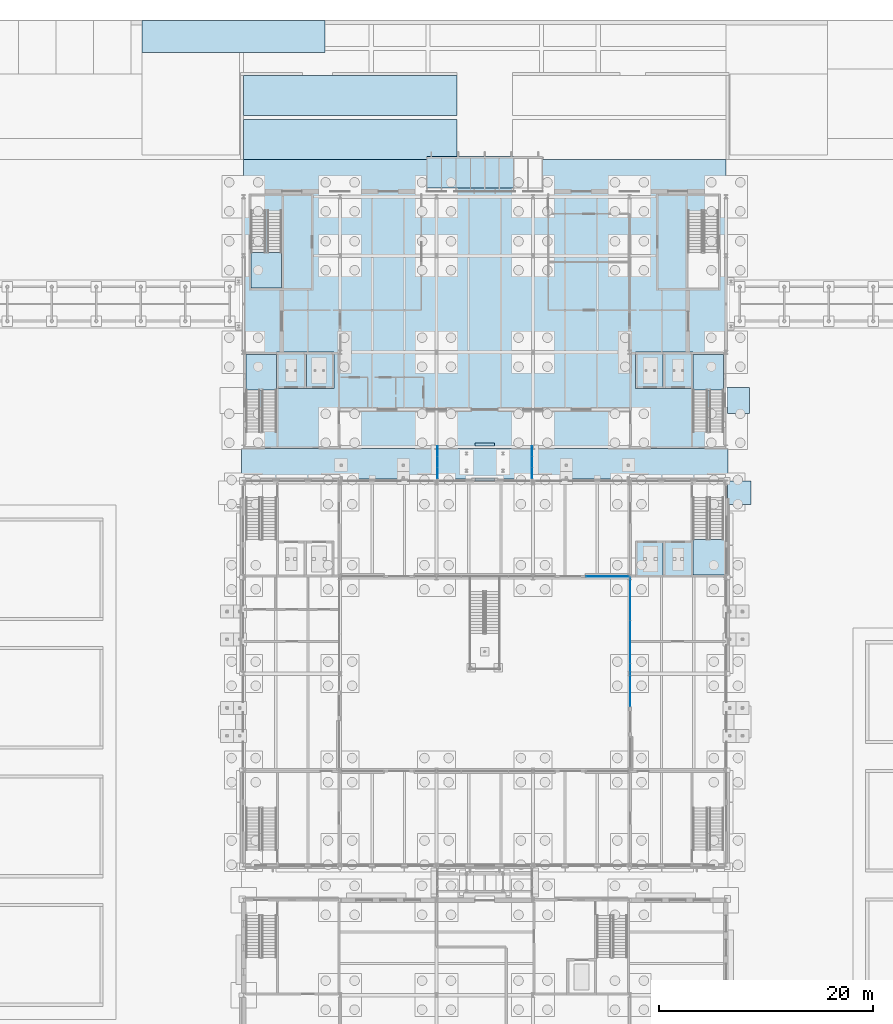
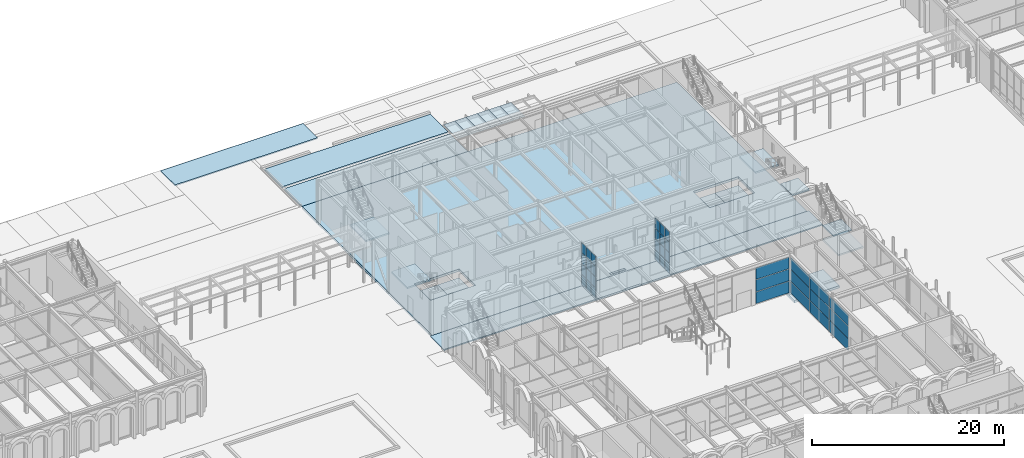
# One storey, part 62 of 126: 44 plates, 19 slabs, 8 elements without a shape of their own.
"""IFC4 building model written with IfcOpenShell, lengths in metres."""

from ifc_helpers import new_model, si_unit, direction, frame, origin, origin_2d, place, context, subcontext, project, spatial, polyline, rectangle, outline, extrude, material, layer, layer_set, type_object, element, aggregate, save


model = new_model("IFC4")

# Units and contexts
model_context = context("Model", 3, precision=1e-05, world=origin(), true_north=direction((0.0, 1.0)))
body_context = subcontext(model_context, "Body", "Model", "MODEL_VIEW")
ifc_project = project(units=[si_unit("LENGTHUNIT", "METRE"), si_unit("AREAUNIT", "SQUARE_METRE"), si_unit("VOLUMEUNIT", "CUBIC_METRE"), si_unit("PLANEANGLEUNIT", "RADIAN"), si_unit("MASSUNIT", "GRAM", prefix="KILO")], contexts=[model_context])

# Site, building, storey
site_placement = place(None, origin())
site = spatial("IfcSite", under=ifc_project, at=site_placement, CompositionType="ELEMENT")
building_placement = place(site_placement, origin())
building = spatial("IfcBuilding", under=site, at=building_placement, Name="Kallimachos Central Library", CompositionType="ELEMENT")
storey_placement = place(building_placement, origin())
storey = spatial("IfcBuildingStorey", under=building, at=storey_placement, Name="L00", CompositionType="ELEMENT", Elevation=0.0)

# Curtain wall, plates
ifc_material_1 = material(Name="Aluminium and laminated glass", Category="aluminium")
curtain_wall_type_1 = type_object("IfcCurtainWallType", Name="Atrium glazed screen", PredefinedType="NOTDEFINED", material=ifc_material_1)
curtain_wall_1_placement = place(storey_placement, origin())
curtain_wall_1 = element("IfcCurtainWall", 1, at=curtain_wall_1_placement, inside=storey, type_object=curtain_wall_type_1, Name="L00 atrium screen N", PredefinedType="NOTDEFINED")
ifc_material_2 = material(Name="Laminated glass", Category="glass")
ifc_layer_1 = layer(ifc_material_2, 0.028076171875)
ifc_layer_set_1 = layer_set([ifc_layer_1], Name="Atrium screen glass panel")
plate_type_1 = type_object("IfcPlateType", Name="Atrium screen glass panel", PredefinedType="CURTAIN_PANEL", material=ifc_layer_set_1)
plate_1_placement = place(storey_placement, frame((99.449951171875, 75.080078125, 0.06005859375), z_axis=(0.0, 0.0, 1.0), x_axis=(1.0, 0.0, 0.0)))
plate_1 = element("IfcPlate", 2, at=plate_1_placement, type_object=plate_type_1, Name="CW panel 1.1", PredefinedType="CURTAIN_PANEL", context=body_context, shape_type="SweptSolid", body=[
    extrude(rectangle(XDim=3.97998046875, YDim=0.028076171875, at=origin_2d()), origin(), (0.0, 0.0, 1.0), 1.4599609375),
])
plate_2_placement = place(storey_placement, frame((99.449951171875, 75.080078125, 1.580078125), z_axis=(0.0, 0.0, 1.0), x_axis=(1.0, 0.0, 0.0)))
plate_2 = element("IfcPlate", 3, at=plate_2_placement, type_object=plate_type_1, Name="CW panel 1.2", PredefinedType="CURTAIN_PANEL", context=body_context, shape_type="SweptSolid", body=[
    extrude(rectangle(XDim=3.97998046875, YDim=0.028076171875, at=origin_2d()), origin(), (0.0, 0.0, 1.0), 1.489990234375),
])
plate_3_placement = place(storey_placement, frame((99.449951171875, 75.080078125, 3.130126953125), z_axis=(0.0, 0.0, 1.0), x_axis=(1.0, 0.0, 0.0)))
plate_3 = element("IfcPlate", 4, at=plate_3_placement, type_object=plate_type_1, Name="CW panel 1.3", PredefinedType="CURTAIN_PANEL", context=body_context, shape_type="SweptSolid", body=[
    extrude(rectangle(XDim=3.97998046875, YDim=0.028076171875, at=origin_2d()), origin(), (0.0, 0.0, 1.0), 1.4599609375),
])
aggregate(curtain_wall_1, [plate_1, plate_2, plate_3])

curtain_wall_2_placement = place(storey_placement, origin())
curtain_wall_2 = element("IfcCurtainWall", 5, at=curtain_wall_2_placement, inside=storey, type_object=curtain_wall_type_1, Name="L00 atrium screen E", PredefinedType="NOTDEFINED")
plate_4_placement = place(storey_placement, frame((101.580078125, 64.931640625, 0.06005859375), z_axis=(0.0, 0.0, 1.0), x_axis=(0.0, 1.0, 0.0)))
plate_4 = element("IfcPlate", 6, at=plate_4_placement, type_object=plate_type_1, Name="CW panel 1.1", PredefinedType="CURTAIN_PANEL", context=body_context, shape_type="SweptSolid", body=[
    extrude(rectangle(XDim=3.943359375, YDim=0.028076171875, at=origin_2d()), origin(), (0.0, 0.0, 1.0), 1.4599609375),
])
plate_5_placement = place(storey_placement, frame((101.580078125, 64.931640625, 1.580078125), z_axis=(0.0, 0.0, 1.0), x_axis=(0.0, 1.0, 0.0)))
plate_5 = element("IfcPlate", 7, at=plate_5_placement, type_object=plate_type_1, Name="CW panel 1.2", PredefinedType="CURTAIN_PANEL", context=body_context, shape_type="SweptSolid", body=[
    extrude(rectangle(XDim=3.943359375, YDim=0.028076171875, at=origin_2d()), origin(), (0.0, 0.0, 1.0), 1.489990234375),
])
plate_6_placement = place(storey_placement, frame((101.580078125, 64.931640625, 3.130126953125), z_axis=(0.0, 0.0, 1.0), x_axis=(0.0, 1.0, 0.0)))
plate_6 = element("IfcPlate", 8, at=plate_6_placement, type_object=plate_type_1, Name="CW panel 1.3", PredefinedType="CURTAIN_PANEL", context=body_context, shape_type="SweptSolid", body=[
    extrude(rectangle(XDim=3.943359375, YDim=0.028076171875, at=origin_2d()), origin(), (0.0, 0.0, 1.0), 1.4599609375),
])
plate_7_placement = place(storey_placement, frame((101.580078125, 68.949951171875, 0.06005859375), z_axis=(0.0, 0.0, 1.0), x_axis=(0.0, 1.0, 0.0)))
plate_7 = element("IfcPlate", 9, at=plate_7_placement, type_object=plate_type_1, Name="CW panel 2.1", PredefinedType="CURTAIN_PANEL", context=body_context, shape_type="SweptSolid", body=[
    extrude(rectangle(XDim=3.973388671875, YDim=0.028076171875, at=origin_2d()), origin(), (0.0, 0.0, 1.0), 1.4599609375),
])
plate_8_placement = place(storey_placement, frame((101.580078125, 68.949951171875, 1.580078125), z_axis=(0.0, 0.0, 1.0), x_axis=(0.0, 1.0, 0.0)))
plate_8 = element("IfcPlate", 10, at=plate_8_placement, type_object=plate_type_1, Name="CW panel 2.2", PredefinedType="CURTAIN_PANEL", context=body_context, shape_type="SweptSolid", body=[
    extrude(rectangle(XDim=3.973388671875, YDim=0.028076171875, at=origin_2d()), origin(), (0.0, 0.0, 1.0), 1.489990234375),
])
plate_9_placement = place(storey_placement, frame((101.580078125, 68.949951171875, 3.130126953125), z_axis=(0.0, 0.0, 1.0), x_axis=(0.0, 1.0, 0.0)))
plate_9 = element("IfcPlate", 11, at=plate_9_placement, type_object=plate_type_1, Name="CW panel 2.3", PredefinedType="CURTAIN_PANEL", context=body_context, shape_type="SweptSolid", body=[
    extrude(rectangle(XDim=3.973388671875, YDim=0.028076171875, at=origin_2d()), origin(), (0.0, 0.0, 1.0), 1.4599609375),
])
plate_10_placement = place(storey_placement, frame((101.580078125, 72.96826171875, 0.06005859375), z_axis=(0.0, 0.0, 1.0), x_axis=(0.0, 1.0, 0.0)))
plate_10 = element("IfcPlate", 12, at=plate_10_placement, type_object=plate_type_1, Name="CW panel 3.1", PredefinedType="CURTAIN_PANEL", context=body_context, shape_type="SweptSolid", body=[
    extrude(rectangle(XDim=3.943359375, YDim=0.028076171875, at=origin_2d()), origin(), (0.0, 0.0, 1.0), 1.4599609375),
])
plate_11_placement = place(storey_placement, frame((101.580078125, 72.96826171875, 1.580078125), z_axis=(0.0, 0.0, 1.0), x_axis=(0.0, 1.0, 0.0)))
plate_11 = element("IfcPlate", 13, at=plate_11_placement, type_object=plate_type_1, Name="CW panel 3.2", PredefinedType="CURTAIN_PANEL", context=body_context, shape_type="SweptSolid", body=[
    extrude(rectangle(XDim=3.943359375, YDim=0.028076171875, at=origin_2d()), origin(), (0.0, 0.0, 1.0), 1.489990234375),
])
plate_12_placement = place(storey_placement, frame((101.580078125, 72.96826171875, 3.130126953125), z_axis=(0.0, 0.0, 1.0), x_axis=(0.0, 1.0, 0.0)))
plate_12 = element("IfcPlate", 14, at=plate_12_placement, type_object=plate_type_1, Name="CW panel 3.3", PredefinedType="CURTAIN_PANEL", context=body_context, shape_type="SweptSolid", body=[
    extrude(rectangle(XDim=3.943359375, YDim=0.028076171875, at=origin_2d()), origin(), (0.0, 0.0, 1.0), 1.4599609375),
])
aggregate(curtain_wall_2, [plate_4, plate_5, plate_6, plate_7, plate_8, plate_9, plate_10, plate_11, plate_12])

# Slabs
ifc_material_3 = material(Name="Concrete C30/37", Category="concrete")
ifc_layer_2 = layer(ifc_material_3, 0.300048828125)
ifc_layer_set_2 = layer_set([ifc_layer_2], Name="Base slab 300")
slab_type_1 = type_object("IfcSlabType", Name="Base slab 300", PredefinedType="BASESLAB", material=ifc_layer_set_2)
slab_1_placement = place(storey_placement, frame((0.0, 0.0, -0.300048828125)))
element("IfcSlab", 15, at=slab_1_placement, inside=storey, type_object=slab_type_1, Name="V1-SLB-L00-005", PredefinedType="BASESLAB", context=body_context, shape_type="SweptSolid", body=[
    extrude(outline(polyline([(65.5, 114.0), (110.5, 114.0), (110.5, 87.0), (65.5, 87.0), (65.5, 114.0)]), holes=[polyline([(68.550048828125, 96.0), (68.550048828125, 92.60009765625), (73.949951171875, 92.60009765625), (73.949951171875, 96.0), (68.550048828125, 96.0)]), polyline([(102.050048828125, 96.0), (102.050048828125, 92.60009765625), (107.449951171875, 92.60009765625), (107.449951171875, 96.0), (102.050048828125, 96.0)])]), origin(), (0.0, 0.0, 1.0), 0.300048828125),
])
ifc_material_4 = material(Name="Concrete C30/37", Category="concrete")
ifc_layer_3 = layer(ifc_material_4, 0.14990234375)
ifc_layer_set_3 = layer_set([ifc_layer_3], Name="Entrance undercroft paving 150")
slab_type_2 = type_object("IfcSlabType", Name="Entrance undercroft paving 150", PredefinedType="BASESLAB", material=ifc_layer_set_3)
slab_2_placement = place(storey_placement, frame((0.0, 0.0, -0.14990234375)))
element("IfcSlab", 16, at=slab_2_placement, inside=storey, type_object=slab_type_2, Name="Entrance undercroft paving C", PredefinedType="BASESLAB", context=body_context, shape_type="SweptSolid", body=[
    extrude(outline(polyline([(65.5, 114.0), (65.5, 117.699951171875), (85.39990234375, 117.699951171875), (85.39990234375, 114.0), (65.5, 114.0)])), origin(), (0.0, 0.0, 1.0), 0.14990234375),
])
slab_3_placement = place(storey_placement, frame((0.0, 0.0, -0.14990234375)))
element("IfcSlab", 17, at=slab_3_placement, inside=storey, type_object=slab_type_2, Name="Entrance undercroft paving D", PredefinedType="BASESLAB", context=body_context, shape_type="SweptSolid", body=[
    extrude(outline(polyline([(65.5, 121.800048828125), (85.39990234375, 121.800048828125), (85.39990234375, 118.10009765625), (65.5, 118.10009765625), (65.5, 121.800048828125)])), origin(), (0.0, 0.0, 1.0), 0.14990234375),
])

# Plates
ifc_material_5 = material(Name="Stainless steel plate", Category="steel")
ifc_layer_4 = layer(ifc_material_5, 0.011962890625)
ifc_layer_set_4 = layer_set([ifc_layer_4], Name="Joint cover plate")
plate_type_2 = type_object("IfcPlateType", Name="Joint cover plate", PredefinedType="SHEET", material=ifc_layer_set_4)
for number, where, z_axis, x_axis, name in (
    (18, (88.0, 84.10791015625, 0.0), (0.0, 0.0, 1.0), (1.0, 0.0, 0.0), "Reading Link joint cover plate L00"),
    (19, (88.0, 87.375, 0.0), (0.0, 0.0, 1.0), (1.0, 0.0, 0.0), "Reading Link joint cover plate L00"),
):
    element("IfcPlate", number, at=place(storey_placement, frame(where, z_axis=z_axis, x_axis=x_axis)), inside=storey, type_object=plate_type_2, Name=name, PredefinedType="SHEET", context=body_context, shape_type="SweptSolid", body=[
        extrude(rectangle(XDim=1.780029296875, YDim=0.300048828125, at=origin_2d()), origin(), (0.0, 0.0, 1.0), 0.011962890625),
    ])
ifc_material_6 = material(Name="Laminated glass", Category="glass")
ifc_layer_5 = layer(ifc_material_6, 0.030029296875)
ifc_layer_set_5 = layer_set([ifc_layer_5], Name="Laminated glass marquise panel 30")
plate_type_3 = type_object("IfcPlateType", Name="Laminated glass marquise panel 30", PredefinedType="SHEET", material=ifc_layer_set_5)
for number, where, z_axis, x_axis, name in (
    (20, (83.27490234375, 112.77490234375, 4.2001953125), (0.0, 0.0, 1.0), (1.0, 0.0, 0.0), "Entrance canopy glass panel"),
    (21, (84.625, 112.77490234375, 4.2001953125), (0.0, 0.0, 1.0), (1.0, 0.0, 0.0), "Entrance canopy glass panel"),
    (22, (85.97509765625, 112.77490234375, 4.2001953125), (0.0, 0.0, 1.0), (1.0, 0.0, 0.0), "Entrance canopy glass panel"),
    (23, (87.324951171875, 112.77490234375, 4.2001953125), (0.0, 0.0, 1.0), (1.0, 0.0, 0.0), "Entrance canopy glass panel"),
    (24, (88.675048828125, 112.77490234375, 4.2001953125), (0.0, 0.0, 1.0), (1.0, 0.0, 0.0), "Entrance canopy glass panel"),
    (25, (90.02490234375, 112.77490234375, 4.2001953125), (0.0, 0.0, 1.0), (1.0, 0.0, 0.0), "Entrance canopy glass panel"),
):
    element("IfcPlate", number, at=place(storey_placement, frame(where, z_axis=z_axis, x_axis=x_axis)), inside=storey, type_object=plate_type_3, Name=name, PredefinedType="SHEET", context=body_context, shape_type="SweptSolid", body=[
        extrude(rectangle(XDim=1.35009765625, YDim=2.949951171875, at=origin_2d()), origin(), (0.0, 0.0, 1.0), 0.030029296875),
    ])

# Curtain wall, plates
ifc_material_7 = material(Name="Aluminium and laminated glass", Category="aluminium")
curtain_wall_type_2 = type_object("IfcCurtainWallType", Name="Link glazed wall", PredefinedType="NOTDEFINED", material=ifc_material_7)
curtain_wall_3_placement = place(storey_placement, origin())
curtain_wall_3 = element("IfcCurtainWall", 26, at=curtain_wall_3_placement, inside=storey, type_object=curtain_wall_type_2, Name="Reading Link glazed wall L00", PredefinedType="NOTDEFINED")
ifc_material_8 = material(Name="Laminated glass", Category="glass")
ifc_layer_6 = layer(ifc_material_8, 0.028076171875)
ifc_layer_set_6 = layer_set([ifc_layer_6], Name="Laminated glass panel 28")
plate_type_4 = type_object("IfcPlateType", Name="Laminated glass panel 28", PredefinedType="CURTAIN_PANEL", material=ifc_layer_set_6)
plate_13_placement = place(storey_placement, frame((83.580078125, 84.7275390625, 0.06005859375), z_axis=(0.0, 0.0, 1.0), x_axis=(0.0, 1.0, 0.0)))
plate_13 = element("IfcPlate", 27, at=plate_13_placement, type_object=plate_type_4, Name="CW62 panel 1.1", PredefinedType="CURTAIN_PANEL", context=body_context, shape_type="SweptSolid", body=[
    extrude(rectangle(XDim=0.93505859375, YDim=0.028076171875, at=origin_2d()), origin(), (0.0, 0.0, 1.0), 1.260009765625),
])
plate_14_placement = place(storey_placement, frame((83.580078125, 84.7275390625, 1.3798828125), z_axis=(0.0, 0.0, 1.0), x_axis=(0.0, 1.0, 0.0)))
plate_14 = element("IfcPlate", 28, at=plate_14_placement, type_object=plate_type_4, Name="CW62 panel 1.2", PredefinedType="CURTAIN_PANEL", context=body_context, shape_type="SweptSolid", body=[
    extrude(rectangle(XDim=0.93505859375, YDim=0.028076171875, at=origin_2d()), origin(), (0.0, 0.0, 1.0), 1.2900390625),
])
plate_15_placement = place(storey_placement, frame((83.580078125, 84.7275390625, 2.72998046875), z_axis=(0.0, 0.0, 1.0), x_axis=(0.0, 1.0, 0.0)))
plate_15 = element("IfcPlate", 29, at=plate_15_placement, type_object=plate_type_4, Name="CW62 panel 1.3", PredefinedType="CURTAIN_PANEL", context=body_context, shape_type="SweptSolid", body=[
    extrude(rectangle(XDim=0.93505859375, YDim=0.028076171875, at=origin_2d()), origin(), (0.0, 0.0, 1.0), 1.2900390625),
])
plate_16_placement = place(storey_placement, frame((83.580078125, 84.7275390625, 4.080078125), z_axis=(0.0, 0.0, 1.0), x_axis=(0.0, 1.0, 0.0)))
plate_16 = element("IfcPlate", 30, at=plate_16_placement, type_object=plate_type_4, Name="CW62 panel 1.4", PredefinedType="CURTAIN_PANEL", context=body_context, shape_type="SweptSolid", body=[
    extrude(rectangle(XDim=0.93505859375, YDim=0.028076171875, at=origin_2d()), origin(), (0.0, 0.0, 1.0), 1.260009765625),
])
plate_17_placement = place(storey_placement, frame((83.580078125, 85.737548828125, 0.06005859375), z_axis=(0.0, 0.0, 1.0), x_axis=(0.0, 1.0, 0.0)))
plate_17 = element("IfcPlate", 31, at=plate_17_placement, type_object=plate_type_4, Name="CW62 panel 2.1", PredefinedType="CURTAIN_PANEL", context=body_context, shape_type="SweptSolid", body=[
    extrude(rectangle(XDim=0.965087890625, YDim=0.028076171875, at=origin_2d()), origin(), (0.0, 0.0, 1.0), 1.260009765625),
])
plate_18_placement = place(storey_placement, frame((83.580078125, 85.737548828125, 1.3798828125), z_axis=(0.0, 0.0, 1.0), x_axis=(0.0, 1.0, 0.0)))
plate_18 = element("IfcPlate", 32, at=plate_18_placement, type_object=plate_type_4, Name="CW62 panel 2.2", PredefinedType="CURTAIN_PANEL", context=body_context, shape_type="SweptSolid", body=[
    extrude(rectangle(XDim=0.965087890625, YDim=0.028076171875, at=origin_2d()), origin(), (0.0, 0.0, 1.0), 1.2900390625),
])
plate_19_placement = place(storey_placement, frame((83.580078125, 85.737548828125, 2.72998046875), z_axis=(0.0, 0.0, 1.0), x_axis=(0.0, 1.0, 0.0)))
plate_19 = element("IfcPlate", 33, at=plate_19_placement, type_object=plate_type_4, Name="CW62 panel 2.3", PredefinedType="CURTAIN_PANEL", context=body_context, shape_type="SweptSolid", body=[
    extrude(rectangle(XDim=0.965087890625, YDim=0.028076171875, at=origin_2d()), origin(), (0.0, 0.0, 1.0), 1.2900390625),
])
plate_20_placement = place(storey_placement, frame((83.580078125, 85.737548828125, 4.080078125), z_axis=(0.0, 0.0, 1.0), x_axis=(0.0, 1.0, 0.0)))
plate_20 = element("IfcPlate", 34, at=plate_20_placement, type_object=plate_type_4, Name="CW62 panel 2.4", PredefinedType="CURTAIN_PANEL", context=body_context, shape_type="SweptSolid", body=[
    extrude(rectangle(XDim=0.965087890625, YDim=0.028076171875, at=origin_2d()), origin(), (0.0, 0.0, 1.0), 1.260009765625),
])
plate_21_placement = place(storey_placement, frame((83.580078125, 86.74755859375, 0.06005859375), z_axis=(0.0, 0.0, 1.0), x_axis=(0.0, 1.0, 0.0)))
plate_21 = element("IfcPlate", 35, at=plate_21_placement, type_object=plate_type_4, Name="CW62 panel 3.1", PredefinedType="CURTAIN_PANEL", context=body_context, shape_type="SweptSolid", body=[
    extrude(rectangle(XDim=0.93505859375, YDim=0.028076171875, at=origin_2d()), origin(), (0.0, 0.0, 1.0), 1.260009765625),
])
plate_22_placement = place(storey_placement, frame((83.580078125, 86.74755859375, 1.3798828125), z_axis=(0.0, 0.0, 1.0), x_axis=(0.0, 1.0, 0.0)))
plate_22 = element("IfcPlate", 36, at=plate_22_placement, type_object=plate_type_4, Name="CW62 panel 3.2", PredefinedType="CURTAIN_PANEL", context=body_context, shape_type="SweptSolid", body=[
    extrude(rectangle(XDim=0.93505859375, YDim=0.028076171875, at=origin_2d()), origin(), (0.0, 0.0, 1.0), 1.2900390625),
])
plate_23_placement = place(storey_placement, frame((83.580078125, 86.74755859375, 2.72998046875), z_axis=(0.0, 0.0, 1.0), x_axis=(0.0, 1.0, 0.0)))
plate_23 = element("IfcPlate", 37, at=plate_23_placement, type_object=plate_type_4, Name="CW62 panel 3.3", PredefinedType="CURTAIN_PANEL", context=body_context, shape_type="SweptSolid", body=[
    extrude(rectangle(XDim=0.93505859375, YDim=0.028076171875, at=origin_2d()), origin(), (0.0, 0.0, 1.0), 1.2900390625),
])
plate_24_placement = place(storey_placement, frame((83.580078125, 86.74755859375, 4.080078125), z_axis=(0.0, 0.0, 1.0), x_axis=(0.0, 1.0, 0.0)))
plate_24 = element("IfcPlate", 38, at=plate_24_placement, type_object=plate_type_4, Name="CW62 panel 3.4", PredefinedType="CURTAIN_PANEL", context=body_context, shape_type="SweptSolid", body=[
    extrude(rectangle(XDim=0.93505859375, YDim=0.028076171875, at=origin_2d()), origin(), (0.0, 0.0, 1.0), 1.260009765625),
])
aggregate(curtain_wall_3, [plate_13, plate_14, plate_15, plate_16, plate_17, plate_18, plate_19, plate_20, plate_21, plate_22, plate_23, plate_24])

curtain_wall_4_placement = place(storey_placement, origin())
curtain_wall_4 = element("IfcCurtainWall", 39, at=curtain_wall_4_placement, inside=storey, type_object=curtain_wall_type_2, Name="Reading Link glazed wall L00", PredefinedType="NOTDEFINED")
plate_25_placement = place(storey_placement, frame((92.419921875, 84.7275390625, 0.06005859375), z_axis=(0.0, 0.0, 1.0), x_axis=(0.0, 1.0, 0.0)))
plate_25 = element("IfcPlate", 40, at=plate_25_placement, type_object=plate_type_4, Name="CW63 panel 1.1", PredefinedType="CURTAIN_PANEL", context=body_context, shape_type="SweptSolid", body=[
    extrude(rectangle(XDim=0.93505859375, YDim=0.028076171875, at=origin_2d()), origin(), (0.0, 0.0, 1.0), 1.260009765625),
])
plate_26_placement = place(storey_placement, frame((92.419921875, 84.7275390625, 1.3798828125), z_axis=(0.0, 0.0, 1.0), x_axis=(0.0, 1.0, 0.0)))
plate_26 = element("IfcPlate", 41, at=plate_26_placement, type_object=plate_type_4, Name="CW63 panel 1.2", PredefinedType="CURTAIN_PANEL", context=body_context, shape_type="SweptSolid", body=[
    extrude(rectangle(XDim=0.93505859375, YDim=0.028076171875, at=origin_2d()), origin(), (0.0, 0.0, 1.0), 1.2900390625),
])
plate_27_placement = place(storey_placement, frame((92.419921875, 84.7275390625, 2.72998046875), z_axis=(0.0, 0.0, 1.0), x_axis=(0.0, 1.0, 0.0)))
plate_27 = element("IfcPlate", 42, at=plate_27_placement, type_object=plate_type_4, Name="CW63 panel 1.3", PredefinedType="CURTAIN_PANEL", context=body_context, shape_type="SweptSolid", body=[
    extrude(rectangle(XDim=0.93505859375, YDim=0.028076171875, at=origin_2d()), origin(), (0.0, 0.0, 1.0), 1.2900390625),
])
plate_28_placement = place(storey_placement, frame((92.419921875, 84.7275390625, 4.080078125), z_axis=(0.0, 0.0, 1.0), x_axis=(0.0, 1.0, 0.0)))
plate_28 = element("IfcPlate", 43, at=plate_28_placement, type_object=plate_type_4, Name="CW63 panel 1.4", PredefinedType="CURTAIN_PANEL", context=body_context, shape_type="SweptSolid", body=[
    extrude(rectangle(XDim=0.93505859375, YDim=0.028076171875, at=origin_2d()), origin(), (0.0, 0.0, 1.0), 1.260009765625),
])
plate_29_placement = place(storey_placement, frame((92.419921875, 85.737548828125, 0.06005859375), z_axis=(0.0, 0.0, 1.0), x_axis=(0.0, 1.0, 0.0)))
plate_29 = element("IfcPlate", 44, at=plate_29_placement, type_object=plate_type_4, Name="CW63 panel 2.1", PredefinedType="CURTAIN_PANEL", context=body_context, shape_type="SweptSolid", body=[
    extrude(rectangle(XDim=0.965087890625, YDim=0.028076171875, at=origin_2d()), origin(), (0.0, 0.0, 1.0), 1.260009765625),
])
plate_30_placement = place(storey_placement, frame((92.419921875, 85.737548828125, 1.3798828125), z_axis=(0.0, 0.0, 1.0), x_axis=(0.0, 1.0, 0.0)))
plate_30 = element("IfcPlate", 45, at=plate_30_placement, type_object=plate_type_4, Name="CW63 panel 2.2", PredefinedType="CURTAIN_PANEL", context=body_context, shape_type="SweptSolid", body=[
    extrude(rectangle(XDim=0.965087890625, YDim=0.028076171875, at=origin_2d()), origin(), (0.0, 0.0, 1.0), 1.2900390625),
])
plate_31_placement = place(storey_placement, frame((92.419921875, 85.737548828125, 2.72998046875), z_axis=(0.0, 0.0, 1.0), x_axis=(0.0, 1.0, 0.0)))
plate_31 = element("IfcPlate", 46, at=plate_31_placement, type_object=plate_type_4, Name="CW63 panel 2.3", PredefinedType="CURTAIN_PANEL", context=body_context, shape_type="SweptSolid", body=[
    extrude(rectangle(XDim=0.965087890625, YDim=0.028076171875, at=origin_2d()), origin(), (0.0, 0.0, 1.0), 1.2900390625),
])
plate_32_placement = place(storey_placement, frame((92.419921875, 85.737548828125, 4.080078125), z_axis=(0.0, 0.0, 1.0), x_axis=(0.0, 1.0, 0.0)))
plate_32 = element("IfcPlate", 47, at=plate_32_placement, type_object=plate_type_4, Name="CW63 panel 2.4", PredefinedType="CURTAIN_PANEL", context=body_context, shape_type="SweptSolid", body=[
    extrude(rectangle(XDim=0.965087890625, YDim=0.028076171875, at=origin_2d()), origin(), (0.0, 0.0, 1.0), 1.260009765625),
])
plate_33_placement = place(storey_placement, frame((92.419921875, 86.74755859375, 0.06005859375), z_axis=(0.0, 0.0, 1.0), x_axis=(0.0, 1.0, 0.0)))
plate_33 = element("IfcPlate", 48, at=plate_33_placement, type_object=plate_type_4, Name="CW63 panel 3.1", PredefinedType="CURTAIN_PANEL", context=body_context, shape_type="SweptSolid", body=[
    extrude(rectangle(XDim=0.93505859375, YDim=0.028076171875, at=origin_2d()), origin(), (0.0, 0.0, 1.0), 1.260009765625),
])
plate_34_placement = place(storey_placement, frame((92.419921875, 86.74755859375, 1.3798828125), z_axis=(0.0, 0.0, 1.0), x_axis=(0.0, 1.0, 0.0)))
plate_34 = element("IfcPlate", 49, at=plate_34_placement, type_object=plate_type_4, Name="CW63 panel 3.2", PredefinedType="CURTAIN_PANEL", context=body_context, shape_type="SweptSolid", body=[
    extrude(rectangle(XDim=0.93505859375, YDim=0.028076171875, at=origin_2d()), origin(), (0.0, 0.0, 1.0), 1.2900390625),
])
plate_35_placement = place(storey_placement, frame((92.419921875, 86.74755859375, 2.72998046875), z_axis=(0.0, 0.0, 1.0), x_axis=(0.0, 1.0, 0.0)))
plate_35 = element("IfcPlate", 50, at=plate_35_placement, type_object=plate_type_4, Name="CW63 panel 3.3", PredefinedType="CURTAIN_PANEL", context=body_context, shape_type="SweptSolid", body=[
    extrude(rectangle(XDim=0.93505859375, YDim=0.028076171875, at=origin_2d()), origin(), (0.0, 0.0, 1.0), 1.2900390625),
])
plate_36_placement = place(storey_placement, frame((92.419921875, 86.74755859375, 4.080078125), z_axis=(0.0, 0.0, 1.0), x_axis=(0.0, 1.0, 0.0)))
plate_36 = element("IfcPlate", 51, at=plate_36_placement, type_object=plate_type_4, Name="CW63 panel 3.4", PredefinedType="CURTAIN_PANEL", context=body_context, shape_type="SweptSolid", body=[
    extrude(rectangle(XDim=0.93505859375, YDim=0.028076171875, at=origin_2d()), origin(), (0.0, 0.0, 1.0), 1.260009765625),
])
aggregate(curtain_wall_4, [plate_25, plate_26, plate_27, plate_28, plate_29, plate_30, plate_31, plate_32, plate_33, plate_34, plate_35, plate_36])

# Slabs
ifc_material_9 = material(Name="Concrete C30/37", Category="concrete")
ifc_layer_7 = layer(ifc_material_9, 0.14990234375)
ifc_layer_set_7 = layer_set([ifc_layer_7], Name="Lay-by paving 150")
slab_type_3 = type_object("IfcSlabType", Name="Lay-by paving 150", PredefinedType="BASESLAB", material=ifc_layer_set_7)
slab_4_placement = place(storey_placement, frame((0.0, 0.0, -0.14990234375)))
element("IfcSlab", 52, at=slab_4_placement, inside=storey, type_object=slab_type_3, Name="Drop-off Lay-by", PredefinedType="BASESLAB", context=body_context, shape_type="SweptSolid", body=[
    extrude(outline(polyline([(56.0, 123.949951171875), (56.0, 126.949951171875), (73.10009765625, 126.949951171875), (73.10009765625, 123.949951171875), (56.0, 123.949951171875)])), origin(), (0.0, 0.0, 1.0), 0.14990234375),
])
ifc_material_10 = material(Name="Concrete C30/37", Category="concrete")
ifc_layer_8 = layer(ifc_material_10, 0.300048828125)
ifc_layer_set_8 = layer_set([ifc_layer_8], Name="Lift pit slab 300")
slab_type_4 = type_object("IfcSlabType", Name="Lift pit slab 300", PredefinedType="BASESLAB", material=ifc_layer_set_8)
slab_5_placement = place(storey_placement, frame((0.0, 0.0, -1.39990234375)))
element("IfcSlab", 53, at=slab_5_placement, inside=storey, type_object=slab_type_4, Name="V4-SLB-L00-003", PredefinedType="BASESLAB", context=body_context, shape_type="SweptSolid", body=[
    extrude(outline(polyline([(104.64990234375, 75.0), (107.449951171875, 75.0), (107.449951171875, 78.39990234375), (104.64990234375, 78.39990234375), (104.64990234375, 75.0)])), origin(), (0.0, 0.0, 1.0), 0.2998046875),
])
slab_6_placement = place(storey_placement, frame((0.0, 0.0, -1.39990234375)))
element("IfcSlab", 54, at=slab_6_placement, inside=storey, type_object=slab_type_4, Name="V4-SLB-L00-004", PredefinedType="BASESLAB", context=body_context, shape_type="SweptSolid", body=[
    extrude(outline(polyline([(102.050048828125, 75.0), (102.050048828125, 78.39990234375), (104.64990234375, 78.39990234375), (104.64990234375, 75.0), (102.050048828125, 75.0)])), origin(), (0.0, 0.0, 1.0), 0.2998046875),
])
slab_7_placement = place(storey_placement, frame((0.0, 0.0, -1.39990234375)))
element("IfcSlab", 55, at=slab_7_placement, inside=storey, type_object=slab_type_4, Name="V1-SLB-L00-001", PredefinedType="BASESLAB", context=body_context, shape_type="SweptSolid", body=[
    extrude(outline(polyline([(68.550048828125, 92.60009765625), (71.35009765625, 92.60009765625), (71.35009765625, 96.0), (68.550048828125, 96.0), (68.550048828125, 92.60009765625)])), origin(), (0.0, 0.0, 1.0), 0.2998046875),
])
slab_8_placement = place(storey_placement, frame((0.0, 0.0, -1.39990234375)))
element("IfcSlab", 56, at=slab_8_placement, inside=storey, type_object=slab_type_4, Name="V1-SLB-L00-002", PredefinedType="BASESLAB", context=body_context, shape_type="SweptSolid", body=[
    extrude(outline(polyline([(73.949951171875, 96.0), (73.949951171875, 92.60009765625), (71.35009765625, 92.60009765625), (71.35009765625, 96.0), (73.949951171875, 96.0)])), origin(), (0.0, 0.0, 1.0), 0.2998046875),
])
slab_9_placement = place(storey_placement, frame((0.0, 0.0, -1.39990234375)))
element("IfcSlab", 57, at=slab_9_placement, inside=storey, type_object=slab_type_4, Name="V1-SLB-L00-003", PredefinedType="BASESLAB", context=body_context, shape_type="SweptSolid", body=[
    extrude(outline(polyline([(104.64990234375, 92.60009765625), (107.449951171875, 92.60009765625), (107.449951171875, 96.0), (104.64990234375, 96.0), (104.64990234375, 92.60009765625)])), origin(), (0.0, 0.0, 1.0), 0.2998046875),
])
slab_10_placement = place(storey_placement, frame((0.0, 0.0, -1.39990234375)))
element("IfcSlab", 58, at=slab_10_placement, inside=storey, type_object=slab_type_4, Name="V1-SLB-L00-004", PredefinedType="BASESLAB", context=body_context, shape_type="SweptSolid", body=[
    extrude(outline(polyline([(102.050048828125, 92.60009765625), (102.050048828125, 96.0), (104.64990234375, 96.0), (104.64990234375, 92.60009765625), (102.050048828125, 92.60009765625)])), origin(), (0.0, 0.0, 1.0), 0.2998046875),
])
ifc_material_11 = material(Name="Concrete C30/37", Category="concrete")
ifc_layer_9 = layer(ifc_material_11, 0.199951171875)
ifc_layer_set_9 = layer_set([ifc_layer_9], Name="Link ground slab 200")
slab_type_5 = type_object("IfcSlabType", Name="Link ground slab 200", PredefinedType="BASESLAB", material=ifc_layer_set_9)
slab_11_placement = place(storey_placement, frame((0.0, 0.0, -0.199951171875)))
element("IfcSlab", 59, at=slab_11_placement, inside=storey, type_object=slab_type_5, Name="Reading Link ground slab", PredefinedType="BASESLAB", context=body_context, shape_type="SweptSolid", body=[
    extrude(outline(polyline([(92.5, 84.14990234375), (83.5, 84.14990234375), (83.5, 87.0), (92.5, 87.0), (92.5, 84.14990234375)])), origin(), (0.0, 0.0, 1.0), 0.199951171875),
])
ifc_material_12 = material(Name="Concrete C30/37", Category="concrete")
ifc_layer_10 = layer(ifc_material_12, 0.14990234375)
ifc_layer_set_10 = layer_set([ifc_layer_10], Name="Paving slab 150")
slab_type_6 = type_object("IfcSlabType", Name="Paving slab 150", PredefinedType="BASESLAB", material=ifc_layer_set_10)
slab_12_placement = place(storey_placement, frame((0.0, 0.0, -0.14990234375)))
element("IfcSlab", 60, at=slab_12_placement, inside=storey, type_object=slab_type_6, Name="Joint Strip 2 A", PredefinedType="BASESLAB", context=body_context, shape_type="SweptSolid", body=[
    extrude(outline(polyline([(110.699951171875, 87.0), (110.699951171875, 84.0), (110.64990234375, 84.0), (110.64990234375, 84.14990234375), (92.5, 84.14990234375), (92.5, 87.0), (110.699951171875, 87.0)])), origin(), (0.0, 0.0, 1.0), 0.14990234375),
])
slab_13_placement = place(storey_placement, frame((0.0, 0.0, -0.14990234375)))
element("IfcSlab", 61, at=slab_13_placement, inside=storey, type_object=slab_type_6, Name="Joint Strip 2 B", PredefinedType="BASESLAB", context=body_context, shape_type="SweptSolid", body=[
    extrude(outline(polyline([(83.5, 87.0), (83.5, 84.14990234375), (65.35009765625, 84.14990234375), (65.35009765625, 84.0), (65.300048828125, 84.0), (65.300048828125, 87.0), (83.5, 87.0)])), origin(), (0.0, 0.0, 1.0), 0.14990234375),
])
slab_14_placement = place(storey_placement, frame((0.0, 0.0, -0.14990234375)))
element("IfcSlab", 62, at=slab_14_placement, inside=storey, type_object=slab_type_6, Name="Door Apron V4-DOR-L00-012", PredefinedType="BASESLAB", context=body_context, shape_type="SweptSolid", body=[
    extrude(outline(polyline([(112.853515625, 84.0), (112.853515625, 81.800048828125), (110.653564453125, 81.800048828125), (110.653564453125, 84.0), (112.853515625, 84.0)])), origin(), (0.0, 0.0, 1.0), 0.14990234375),
])
slab_15_placement = place(storey_placement, frame((0.0, 0.0, -0.14990234375)))
element("IfcSlab", 63, at=slab_15_placement, inside=storey, type_object=slab_type_6, Name="Door Apron V1-DOR-L00-014", PredefinedType="BASESLAB", context=body_context, shape_type="SweptSolid", body=[
    extrude(outline(polyline([(110.577880859375, 92.699951171875), (112.699951171875, 92.699951171875), (112.699951171875, 90.300048828125), (110.64990234375, 90.300048828125), (110.64990234375, 92.469970703125), (110.648193359375, 92.50927734375), (110.642333984375, 92.548095703125), (110.6328125, 92.586181640625), (110.61962890625, 92.623046875), (110.602783203125, 92.658447265625), (110.577880859375, 92.699951171875)])), origin(), (0.0, 0.0, 1.0), 0.14990234375),
])

# Stair, slab
ifc_material_13 = material(Name="Concrete C30/37", Category="concrete")
stair_type_1 = type_object("IfcStairType", Name="Escape stair", PredefinedType="HALF_TURN_STAIR", material=ifc_material_13)
stair_1_placement = place(storey_placement, origin())
stair_1 = element("IfcStair", 64, at=stair_1_placement, inside=storey, type_object=stair_type_1, Name="L00 stair ST10", PredefinedType="HALF_TURN_STAIR")
ifc_material_14 = material(Name="Concrete C30/37", Category="concrete")
ifc_layer_11 = layer(ifc_material_14, 0.199951171875)
ifc_layer_set_11 = layer_set([ifc_layer_11], Name="Stair landing")
slab_type_7 = type_object("IfcSlabType", Name="Stair landing", PredefinedType="LANDING", material=ifc_layer_set_11)
slab_16_placement = place(storey_placement, frame((0.0, 0.0, 2.5)))
slab_16 = element("IfcSlab", 65, at=slab_16_placement, type_object=slab_type_7, Name="ST10 landing 1", PredefinedType="LANDING", context=body_context, shape_type="SweptSolid", body=[
    extrude(outline(polyline([(107.449951171875, 75.199951171875), (110.45361328125, 75.199951171875), (110.45361328125, 78.530029296875), (107.449951171875, 78.530029296875), (107.449951171875, 75.199951171875)])), origin(), (0.0, 0.0, 1.0), 0.199951171875),
])
aggregate(stair_1, [slab_16])

ifc_material_15 = material(Name="Steel S355J2", Category="steel")
stair_type_2 = type_object("IfcStairType", Name="Steel half-turn stair 1350", PredefinedType="HALF_TURN_STAIR", material=ifc_material_15)
stair_2_placement = place(storey_placement, origin())
stair_2 = element("IfcStair", 66, at=stair_2_placement, inside=storey, type_object=stair_type_2, Name="L00 stair ST1", PredefinedType="HALF_TURN_STAIR")
ifc_material_16 = material(Name="Concrete C30/37", Category="concrete")
ifc_layer_12 = layer(ifc_material_16, 0.199951171875)
ifc_layer_set_12 = layer_set([ifc_layer_12], Name="Stair landing slab 200")
slab_type_8 = type_object("IfcSlabType", Name="Stair landing slab 200", PredefinedType="LANDING", material=ifc_layer_set_12)
slab_17_placement = place(storey_placement, frame((0.0, 0.0, 2.5)))
slab_17 = element("IfcSlab", 67, at=slab_17_placement, type_object=slab_type_8, Name="ST1 landing 1", PredefinedType="LANDING", context=body_context, shape_type="SweptSolid", body=[
    extrude(outline(polyline([(68.550048828125, 92.469970703125), (68.550048828125, 95.800048828125), (65.699951171875, 95.800048828125), (65.699951171875, 92.469970703125), (68.550048828125, 92.469970703125)])), origin(), (0.0, 0.0, 1.0), 0.199951171875),
])
aggregate(stair_2, [slab_17])

stair_3_placement = place(storey_placement, origin())
stair_3 = element("IfcStair", 68, at=stair_3_placement, inside=storey, type_object=stair_type_2, Name="L00 stair ST2", PredefinedType="HALF_TURN_STAIR")
slab_18_placement = place(storey_placement, frame((0.0, 0.0, 2.5)))
slab_18 = element("IfcSlab", 69, at=slab_18_placement, type_object=slab_type_8, Name="ST2 landing 1", PredefinedType="LANDING", context=body_context, shape_type="SweptSolid", body=[
    extrude(outline(polyline([(110.300048828125, 92.469970703125), (110.300048828125, 95.800048828125), (107.449951171875, 95.800048828125), (107.449951171875, 92.469970703125), (110.300048828125, 92.469970703125)])), origin(), (0.0, 0.0, 1.0), 0.199951171875),
])
aggregate(stair_3, [slab_18])

stair_4_placement = place(storey_placement, origin())
stair_4 = element("IfcStair", 70, at=stair_4_placement, inside=storey, type_object=stair_type_2, Name="L00 stair ST3", PredefinedType="HALF_TURN_STAIR")
slab_19_placement = place(storey_placement, frame((0.0, 0.0, 2.5)))
slab_19 = element("IfcSlab", 71, at=slab_19_placement, type_object=slab_type_8, Name="ST3 landing 1", PredefinedType="LANDING", context=body_context, shape_type="SweptSolid", body=[
    extrude(outline(polyline([(66.199951171875, 105.304931640625), (66.199951171875, 101.97509765625), (69.050048828125, 101.97509765625), (69.050048828125, 105.304931640625), (66.199951171875, 105.304931640625)])), origin(), (0.0, 0.0, 1.0), 0.199951171875),
])
aggregate(stair_4, [slab_19])

save(model, "model.ifc")
